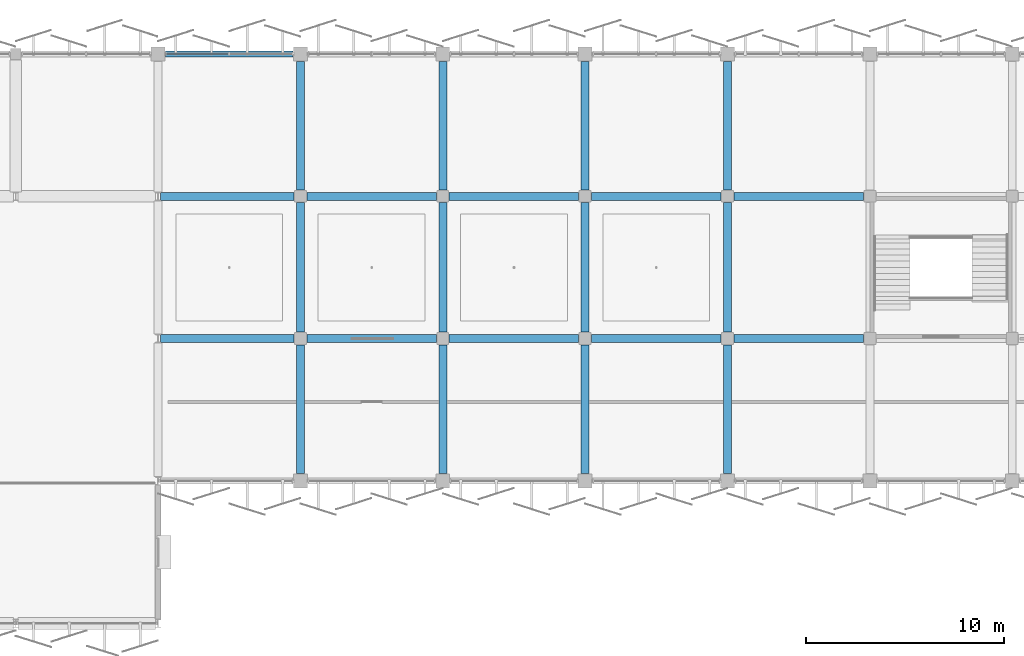
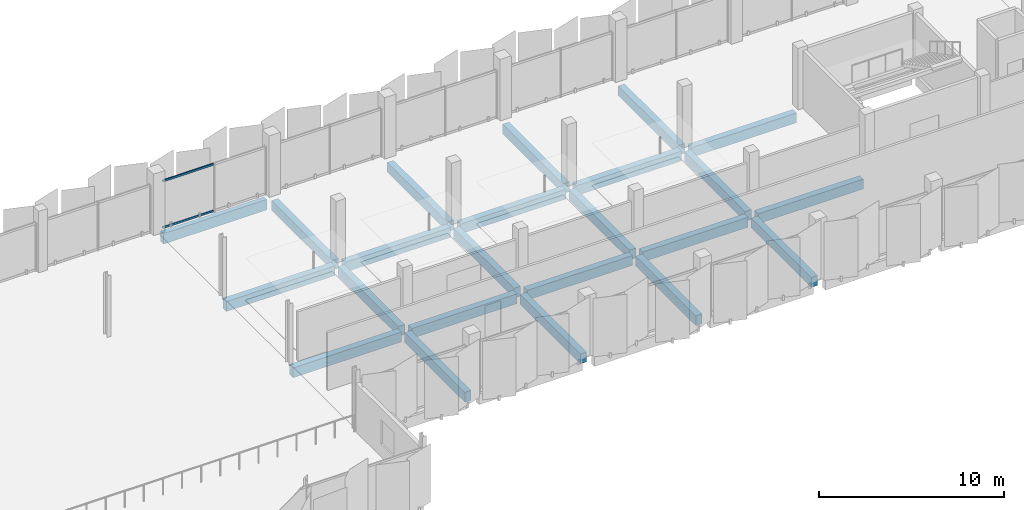
# One storey, part 49 of 107: 23 beams, 2 members, 1 element without a shape of its own.
"""IFC4 building model written with IfcOpenShell, lengths in metres."""

from ifc_helpers import new_model, si_unit, direction, frame, origin, origin_2d, place, context, subcontext, project, spatial, rectangle, hollow_rectangle, extrude, material, layer, layer_set, material_profile, profile_set, type_object, element, aggregate, save


model = new_model("IFC4")

# Units and contexts
model_context = context("Model", 3, precision=1e-05, world=origin(), true_north=direction((0.0, 1.0)))
body_context = subcontext(model_context, "Body", "Model", "MODEL_VIEW")
ifc_project = project(units=[si_unit("LENGTHUNIT", "METRE"), si_unit("AREAUNIT", "SQUARE_METRE"), si_unit("VOLUMEUNIT", "CUBIC_METRE"), si_unit("PLANEANGLEUNIT", "RADIAN"), si_unit("MASSUNIT", "GRAM", prefix="KILO")], contexts=[model_context])

# Site, building, storey
site_placement = place(None, origin())
site = spatial("IfcSite", under=ifc_project, at=site_placement, CompositionType="ELEMENT")
building_placement = place(site_placement, origin())
building = spatial("IfcBuilding", under=site, at=building_placement, Name="Kangsadwip Square Police Headquarters", CompositionType="ELEMENT")
storey_placement = place(building_placement, frame((0.0, 0.0, 5.39990234375)))
storey = spatial("IfcBuildingStorey", under=building, at=storey_placement, Name="L01", CompositionType="ELEMENT", Elevation=5.39990234375)

# Curtain wall, members
ifc_material_1 = material(Name="Thermally broken anodised aluminium AW-6063-T6", Category="aluminium")
ifc_layer = layer(ifc_material_1, 0.159912109375)
ifc_layer_set = layer_set([ifc_layer], Name="Thermally broken anodised aluminium AW-6063-T6")
curtain_wall_type = type_object("IfcCurtainWallType", Name="UnitisedCw6510x3200", PredefinedType="NOTDEFINED", material=ifc_layer_set)
curtain_wall_placement = place(storey_placement, origin())
curtain_wall = element("IfcCurtainWall", 1, at=curtain_wall_placement, inside=storey, type_object=curtain_wall_type, Name="Curtain Wall CW-L01-0939-1152", PredefinedType="NOTDEFINED")
ifc_material_2 = material(Name="Thermally broken anodised aluminium AW-6063-T6", Category="aluminium")
ifc_material_profile_1 = material_profile(ifc_material_2, hollow_rectangle(XDim=0.06494140625, YDim=0.1298828125, WallThickness=0.00390625, at=origin_2d()), Name="CWT 130X65X4")
ifc_profile_set_1 = profile_set([ifc_material_profile_1], Name="Thermally broken anodised aluminium AW-6063-T6")
member_type = type_object("IfcMemberType", Name="CwTransom140x60", PredefinedType="USERDEFINED", material=ifc_profile_set_1)
member_1_placement = place(storey_placement, frame((94.010009765625, 115.199951171875, 0.065185546875), z_axis=(1.0, 0.0, 0.0), x_axis=(0.0, 1.0, 0.0)))
member_1 = element("IfcMember", 2, at=member_1_placement, type_object=member_type, Name="CW-24 transom 1.1", ObjectType="TRANSOM", PredefinedType="USERDEFINED", context=body_context, shape_type="SweptSolid", body=[
    extrude(hollow_rectangle(XDim=0.06494140625, YDim=0.1298828125, WallThickness=0.00390625, at=origin_2d()), origin(), (0.0, 0.0, 1.0), 3.157470703125),
])
member_2_placement = place(storey_placement, frame((94.010009765625, 115.199951171875, 3.135009765625), z_axis=(1.0, 0.0, 0.0), x_axis=(0.0, 1.0, 0.0)))
member_2 = element("IfcMember", 3, at=member_2_placement, type_object=member_type, Name="CW-24 transom 1.2", ObjectType="TRANSOM", PredefinedType="USERDEFINED", context=body_context, shape_type="SweptSolid", body=[
    extrude(hollow_rectangle(XDim=0.06494140625, YDim=0.1298828125, WallThickness=0.00390625, at=origin_2d()), origin(), (0.0, 0.0, 1.0), 3.157470703125),
])
aggregate(curtain_wall, [member_1, member_2])

# Beams
ifc_material_3 = material(Name="Concrete M35 (35 MPa)", Category="concrete")
ifc_material_profile_2 = material_profile(ifc_material_3, rectangle(XDim=0.39990234375, YDim=0.64990234375, at=origin_2d()), Name="RC BM 650X400")
ifc_profile_set_2 = profile_set([ifc_material_profile_2], Name="Concrete M35 (35 MPa)")
beam_type_1 = type_object("IfcBeamType", Name="RcBeam650x400", PredefinedType="BEAM", material=ifc_profile_set_2)
beam_1_placement = place(storey_placement, frame((93.72509765625, 100.800048828125, -0.56494140625), z_axis=(1.0, 0.0, 0.0), x_axis=(0.0, 1.0, 0.0)))
element("IfcBeam", 4, at=beam_1_placement, inside=storey, type_object=beam_type_1, Name="Beam BM-L01-X-13-14", PredefinedType="BEAM", context=body_context, shape_type="SweptSolid", body=[
    extrude(rectangle(XDim=0.39990234375, YDim=0.64990234375, at=origin_2d()), origin(), (0.0, 0.0, 1.0), 6.75),
])
for number, where, z_axis, x_axis, name in (
    (5, (101.125, 100.800048828125, -0.56494140625), (1.0, 0.0, 0.0), (0.0, 1.0, 0.0), "Beam BM-L01-X-14-14"),
    (6, (108.324951171875, 100.800048828125, -0.56494140625), (1.0, 0.0, 0.0), (0.0, 1.0, 0.0), "Beam BM-L01-X-15-14"),
    (7, (115.52490234375, 100.800048828125, -0.56494140625), (1.0, 0.0, 0.0), (0.0, 1.0, 0.0), "Beam BM-L01-X-16-14"),
):
    element("IfcBeam", number, at=place(storey_placement, frame(where, z_axis=z_axis, x_axis=x_axis)), inside=storey, type_object=beam_type_1, Name=name, PredefinedType="BEAM", context=body_context, shape_type="SweptSolid", body=[
        extrude(rectangle(XDim=0.39990234375, YDim=0.64990234375, at=origin_2d()), origin(), (0.0, 0.0, 1.0), 6.550048828125),
    ])
beam_2_placement = place(storey_placement, frame((122.72509765625, 100.800048828125, -0.56494140625), z_axis=(1.0, 0.0, 0.0), x_axis=(0.0, 1.0, 0.0)))
element("IfcBeam", 8, at=beam_2_placement, inside=storey, type_object=beam_type_1, Name="Beam BM-L01-X-17-14", PredefinedType="BEAM", context=body_context, shape_type="SweptSolid", body=[
    extrude(rectangle(XDim=0.39990234375, YDim=0.64990234375, at=origin_2d()), origin(), (0.0, 0.0, 1.0), 6.5498046875),
])
beam_3_placement = place(storey_placement, frame((93.72509765625, 108.0, -0.56494140625), z_axis=(1.0, 0.0, 0.0), x_axis=(0.0, 1.0, 0.0)))
element("IfcBeam", 9, at=beam_3_placement, inside=storey, type_object=beam_type_1, Name="Beam BM-L01-X-13-15", PredefinedType="BEAM", context=body_context, shape_type="SweptSolid", body=[
    extrude(rectangle(XDim=0.39990234375, YDim=0.64990234375, at=origin_2d()), origin(), (0.0, 0.0, 1.0), 6.75),
])
for number, where, z_axis, x_axis, name in (
    (10, (101.125, 108.0, -0.56494140625), (1.0, 0.0, 0.0), (0.0, 1.0, 0.0), "Beam BM-L01-X-14-15"),
    (11, (108.324951171875, 108.0, -0.56494140625), (1.0, 0.0, 0.0), (0.0, 1.0, 0.0), "Beam BM-L01-X-15-15"),
    (12, (115.52490234375, 108.0, -0.56494140625), (1.0, 0.0, 0.0), (0.0, 1.0, 0.0), "Beam BM-L01-X-16-15"),
):
    element("IfcBeam", number, at=place(storey_placement, frame(where, z_axis=z_axis, x_axis=x_axis)), inside=storey, type_object=beam_type_1, Name=name, PredefinedType="BEAM", context=body_context, shape_type="SweptSolid", body=[
        extrude(rectangle(XDim=0.39990234375, YDim=0.64990234375, at=origin_2d()), origin(), (0.0, 0.0, 1.0), 6.550048828125),
    ])
beam_4_placement = place(storey_placement, frame((122.72509765625, 108.0, -0.56494140625), z_axis=(1.0, 0.0, 0.0), x_axis=(0.0, 1.0, 0.0)))
element("IfcBeam", 13, at=beam_4_placement, inside=storey, type_object=beam_type_1, Name="Beam BM-L01-X-17-15", PredefinedType="BEAM", context=body_context, shape_type="SweptSolid", body=[
    extrude(rectangle(XDim=0.39990234375, YDim=0.64990234375, at=origin_2d()), origin(), (0.0, 0.0, 1.0), 6.5498046875),
])
beam_5_placement = place(storey_placement, frame((100.800048828125, 93.97509765625, -0.56494140625), z_axis=(0.0, 1.0, 0.0), x_axis=(-1.0, 0.0, 0.0)))
element("IfcBeam", 14, at=beam_5_placement, inside=storey, type_object=beam_type_1, Name="Beam BM-L01-Y-14-13", PredefinedType="BEAM", context=body_context, shape_type="SweptSolid", body=[
    extrude(rectangle(XDim=0.39990234375, YDim=0.64990234375, at=origin_2d()), origin(), (0.0, 0.0, 1.0), 6.5),
])
beam_6_placement = place(storey_placement, frame((100.800048828125, 101.125, -0.56494140625), z_axis=(0.0, 1.0, 0.0), x_axis=(-1.0, 0.0, 0.0)))
element("IfcBeam", 15, at=beam_6_placement, inside=storey, type_object=beam_type_1, Name="Beam BM-L01-Y-14-14", PredefinedType="BEAM", context=body_context, shape_type="SweptSolid", body=[
    extrude(rectangle(XDim=0.39990234375, YDim=0.64990234375, at=origin_2d()), origin(), (0.0, 0.0, 1.0), 6.550048828125),
])
for number, where, z_axis, x_axis, name in (
    (16, (100.800048828125, 108.324951171875, -0.56494140625), (0.0, 1.0, 0.0), (-1.0, 0.0, 0.0), "Beam BM-L01-Y-14-15"),
    (17, (108.0, 93.97509765625, -0.56494140625), (0.0, 1.0, 0.0), (-1.0, 0.0, 0.0), "Beam BM-L01-Y-15-13"),
):
    element("IfcBeam", number, at=place(storey_placement, frame(where, z_axis=z_axis, x_axis=x_axis)), inside=storey, type_object=beam_type_1, Name=name, PredefinedType="BEAM", context=body_context, shape_type="SweptSolid", body=[
        extrude(rectangle(XDim=0.39990234375, YDim=0.64990234375, at=origin_2d()), origin(), (0.0, 0.0, 1.0), 6.5),
    ])
beam_7_placement = place(storey_placement, frame((108.0, 101.125, -0.56494140625), z_axis=(0.0, 1.0, 0.0), x_axis=(-1.0, 0.0, 0.0)))
element("IfcBeam", 18, at=beam_7_placement, inside=storey, type_object=beam_type_1, Name="Beam BM-L01-Y-15-14", PredefinedType="BEAM", context=body_context, shape_type="SweptSolid", body=[
    extrude(rectangle(XDim=0.39990234375, YDim=0.64990234375, at=origin_2d()), origin(), (0.0, 0.0, 1.0), 6.550048828125),
])
for number, where, z_axis, x_axis, name in (
    (19, (108.0, 108.324951171875, -0.56494140625), (0.0, 1.0, 0.0), (-1.0, 0.0, 0.0), "Beam BM-L01-Y-15-15"),
    (20, (115.199951171875, 93.97509765625, -0.56494140625), (0.0, 1.0, 0.0), (-1.0, 0.0, 0.0), "Beam BM-L01-Y-16-13"),
):
    element("IfcBeam", number, at=place(storey_placement, frame(where, z_axis=z_axis, x_axis=x_axis)), inside=storey, type_object=beam_type_1, Name=name, PredefinedType="BEAM", context=body_context, shape_type="SweptSolid", body=[
        extrude(rectangle(XDim=0.39990234375, YDim=0.64990234375, at=origin_2d()), origin(), (0.0, 0.0, 1.0), 6.5),
    ])
beam_8_placement = place(storey_placement, frame((115.199951171875, 101.125, -0.56494140625), z_axis=(0.0, 1.0, 0.0), x_axis=(-1.0, 0.0, 0.0)))
element("IfcBeam", 21, at=beam_8_placement, inside=storey, type_object=beam_type_1, Name="Beam BM-L01-Y-16-14", PredefinedType="BEAM", context=body_context, shape_type="SweptSolid", body=[
    extrude(rectangle(XDim=0.39990234375, YDim=0.64990234375, at=origin_2d()), origin(), (0.0, 0.0, 1.0), 6.550048828125),
])
for number, where, z_axis, x_axis, name in (
    (22, (115.199951171875, 108.324951171875, -0.56494140625), (0.0, 1.0, 0.0), (-1.0, 0.0, 0.0), "Beam BM-L01-Y-16-15"),
    (23, (122.39990234375, 93.97509765625, -0.56494140625), (0.0, 1.0, 0.0), (-1.0, 0.0, 0.0), "Beam BM-L01-Y-17-13"),
):
    element("IfcBeam", number, at=place(storey_placement, frame(where, z_axis=z_axis, x_axis=x_axis)), inside=storey, type_object=beam_type_1, Name=name, PredefinedType="BEAM", context=body_context, shape_type="SweptSolid", body=[
        extrude(rectangle(XDim=0.39990234375, YDim=0.64990234375, at=origin_2d()), origin(), (0.0, 0.0, 1.0), 6.5),
    ])
beam_9_placement = place(storey_placement, frame((122.39990234375, 101.125, -0.56494140625), z_axis=(0.0, 1.0, 0.0), x_axis=(-1.0, 0.0, 0.0)))
element("IfcBeam", 24, at=beam_9_placement, inside=storey, type_object=beam_type_1, Name="Beam BM-L01-Y-17-14", PredefinedType="BEAM", context=body_context, shape_type="SweptSolid", body=[
    extrude(rectangle(XDim=0.39990234375, YDim=0.64990234375, at=origin_2d()), origin(), (0.0, 0.0, 1.0), 6.550048828125),
])
beam_10_placement = place(storey_placement, frame((122.39990234375, 108.324951171875, -0.56494140625), z_axis=(0.0, 1.0, 0.0), x_axis=(-1.0, 0.0, 0.0)))
element("IfcBeam", 25, at=beam_10_placement, inside=storey, type_object=beam_type_1, Name="Beam BM-L01-Y-17-15", PredefinedType="BEAM", context=body_context, shape_type="SweptSolid", body=[
    extrude(rectangle(XDim=0.39990234375, YDim=0.64990234375, at=origin_2d()), origin(), (0.0, 0.0, 1.0), 6.5),
])
ifc_material_4 = material(Name="Concrete M40 (40 MPa)", Category="concrete")
ifc_material_profile_3 = material_profile(ifc_material_4, rectangle(XDim=0.300048828125, YDim=0.699951171875, at=origin_2d()), Name="RC SPN 700X300")
ifc_profile_set_3 = profile_set([ifc_material_profile_3], Name="Concrete M40 (40 MPa)")
beam_type_2 = type_object("IfcBeamType", Name="RcSpandrel700x300", PredefinedType="SPANDREL", material=ifc_profile_set_3)
beam_11_placement = place(storey_placement, frame((93.97509765625, 115.199951171875, -0.58984375), z_axis=(1.0, 0.0, 0.0), x_axis=(0.0, 1.0, 0.0)))
element("IfcBeam", 26, at=beam_11_placement, inside=storey, type_object=beam_type_2, Name="Beam BM-L01-X-13-16", PredefinedType="SPANDREL", context=body_context, shape_type="SweptSolid", body=[
    extrude(rectangle(XDim=0.300048828125, YDim=0.699951171875, at=origin_2d()), origin(), (0.0, 0.0, 1.0), 6.449951171875),
])

save(model, "model.ifc")
